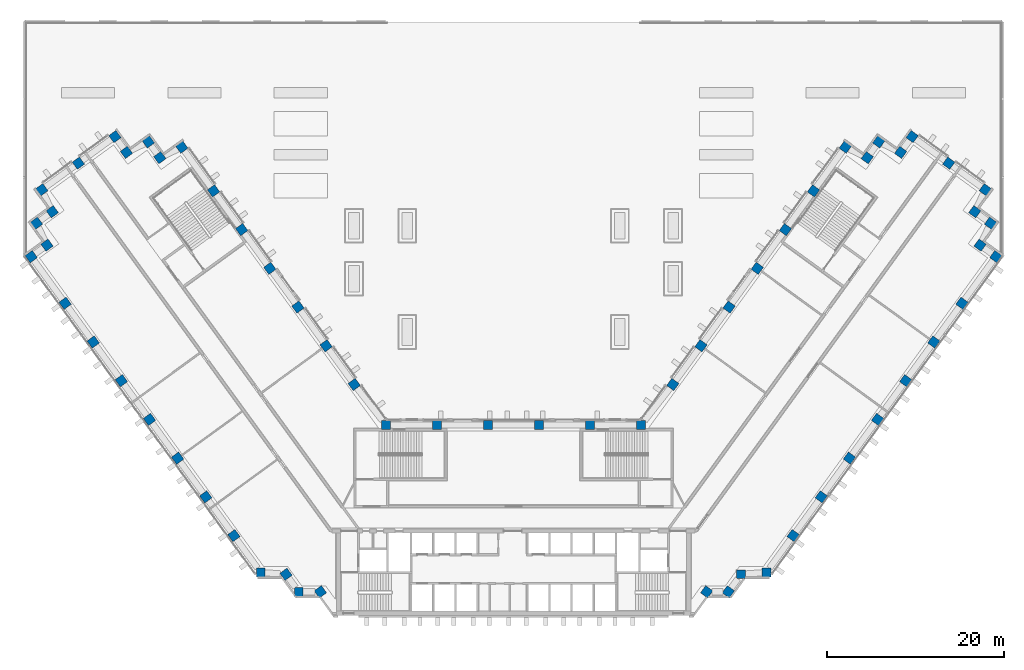
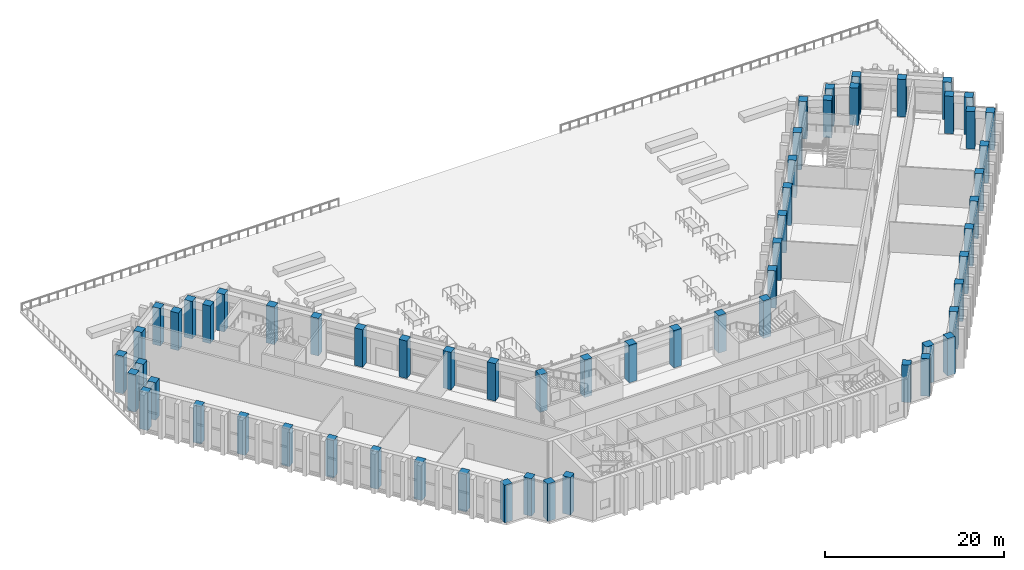
# One storey, part 1 of 25: 62 columns.
"""IFC4 building model written with IfcOpenShell, lengths in metres."""

from ifc_helpers import new_model, si_unit, direction, frame, origin, origin_2d, place, context, subcontext, project, spatial, rectangle, extrude, material, material_profile, profile_set, type_object, element, save


model = new_model("IFC4")

# Units and contexts
model_context = context("Model", 3, precision=1e-05, world=origin(), true_north=direction((0.0, 1.0)))
body_context = subcontext(model_context, "Body", "Model", "MODEL_VIEW")
ifc_project = project(units=[si_unit("LENGTHUNIT", "METRE"), si_unit("AREAUNIT", "SQUARE_METRE"), si_unit("VOLUMEUNIT", "CUBIC_METRE"), si_unit("PLANEANGLEUNIT", "RADIAN"), si_unit("MASSUNIT", "GRAM", prefix="KILO")], contexts=[model_context])

# Site, building, storey
site_placement = place(None, origin())
site = spatial("IfcSite", under=ifc_project, at=site_placement, CompositionType="ELEMENT")
building_placement = place(site_placement, origin())
building = spatial("IfcBuilding", under=site, at=building_placement, Name="Quipu Civic Tower", CompositionType="ELEMENT")
storey_placement = place(building_placement, frame((0.0, 0.0, 6.0)))
storey = spatial("IfcBuildingStorey", under=building, at=storey_placement, Name="L01", CompositionType="ELEMENT", Elevation=6.0)

# Columns
ifc_material = material(Name="Concrete C80/95", Category="concrete")
ifc_material_profile = material_profile(ifc_material, rectangle(XDim=1.0, YDim=1.0, at=origin_2d()), Name="RC1000x1000")
ifc_profile_set = profile_set([ifc_material_profile], Name="Concrete C80/95")
column_type = type_object("IfcColumnType", Name="Perimeter column RC 1000x1000 C80/95", PredefinedType="COLUMN", material=ifc_profile_set)
for number, where, z_axis, x_axis, name in (
    (1, (-17.9736328125, 15.074951171875, 0.0), (0.0, 0.0, 1.0), (-0.587785252292, 0.809016994375, 0.0), "Column L01 W-IN-01"),
    (2, (-21.1474609375, 19.44384765625, 0.0), (0.0, 0.0, 1.0), (-0.587785252292, 0.809016994375, 0.0), "Column L01 W-IN-02"),
    (3, (-24.3212890625, 23.8125, 0.0), (0.0, 0.0, 1.0), (-0.587785252292, 0.809016994375, 0.0), "Column L01 W-IN-03"),
    (4, (-27.4951171875, 28.181396484375, 0.0), (0.0, 0.0, 1.0), (-0.587785252292, 0.809016994375, 0.0), "Column L01 W-IN-04"),
    (5, (-30.6689453125, 32.55029296875, 0.0), (0.0, 0.0, 1.0), (-0.587785252292, 0.809016994375, 0.0), "Column L01 W-IN-05"),
    (6, (-33.843017578125, 36.919189453125, 0.0), (0.0, 0.0, 1.0), (-0.587785252292, 0.809016994375, 0.0), "Column L01 W-IN-06"),
    (7, (-37.425048828125, 41.85009765625, 0.0), (0.0, 0.0, 1.0), (-0.587785252292, 0.809016994375, 0.0), "Column L01 T-Wi.0-W50"),
    (8, (-39.905517578125, 40.666015625, 0.0), (0.0, 0.0, 1.0), (-0.587785252292, 0.809016994375, 0.0), "Column L01 T-Wi.1-W50"),
    (9, (-41.199951171875, 42.445068359375, 0.0), (0.0, 0.0, 1.0), (-0.587785252292, 0.809016994375, 0.0), "Column L01 T-Wi.2-W50"),
    (10, (-43.674560546875, 41.264892578125, 0.0), (0.0, 0.0, 1.0), (-0.809016994375, -0.587785252292, 0.0), "Column L01 T-Wi.3-W50"),
    (11, (-44.969970703125, 43.044921875, 0.0), (0.0, 0.0, 1.0), (-0.809016994375, -0.587785252292, 0.0), "Column L01 T-Wi.4-W50"),
    (12, (-49.095703125, 40.046875, 0.0), (0.0, 0.0, 1.0), (-0.809016994375, -0.587785252292, 0.0), "Column L01 TIP-W-01-W50"),
    (13, (-53.219970703125, 37.050048828125, 0.0), (0.0, 0.0, 1.0), (0.587785252292, -0.809016994375, 0.0), "Column L01 T-Wo.0-W50"),
    (14, (-52.038818359375, 34.571044921875, 0.0), (0.0, 0.0, 1.0), (-0.809016994375, -0.587785252292, 0.0), "Column L01 T-Wo.1-W50"),
    (15, (-53.820068359375, 33.27490234375, 0.0), (0.0, 0.0, 1.0), (0.587785252292, -0.809016994375, 0.0), "Column L01 T-Wo.2-W50"),
    (16, (-52.635986328125, 30.799560546875, 0.0), (0.0, 0.0, 1.0), (-0.809016994375, -0.587785252292, 0.0), "Column L01 T-Wo.3-W50"),
    (17, (-54.4150390625, 29.5048828125, 0.0), (0.0, 0.0, 1.0), (0.587785252292, -0.809016994375, 0.0), "Column L01 T-Wo.4-W50"),
    (18, (-50.59228515625, 24.243408203125, 0.0), (0.0, 0.0, 1.0), (0.587785252292, -0.809016994375, 0.0), "Column L01 W-OUT-07"),
    (19, (-47.41845703125, 19.874755859375, 0.0), (0.0, 0.0, 1.0), (0.587785252292, -0.809016994375, 0.0), "Column L01 W-OUT-06"),
    (20, (-44.244384765625, 15.506103515625, 0.0), (0.0, 0.0, 1.0), (0.587785252292, -0.809016994375, 0.0), "Column L01 W-OUT-05"),
    (21, (-41.0703125, 11.137451171875, 0.0), (0.0, 0.0, 1.0), (0.587785252292, -0.809016994375, 0.0), "Column L01 W-OUT-04"),
    (22, (-37.896240234375, 6.768798828125, 0.0), (0.0, 0.0, 1.0), (0.587785252292, -0.809016994375, 0.0), "Column L01 W-OUT-03"),
    (23, (-34.722412109375, 2.39990234375, 0.0), (0.0, 0.0, 1.0), (0.587785252292, -0.809016994375, 0.0), "Column L01 W-OUT-02"),
    (24, (-31.54833984375, -1.96875, 0.0), (0.0, 0.0, 1.0), (0.587785252292, -0.809016994375, 0.0), "Column L01 W-OUT-01"),
    (25, (-28.52490234375, -6.1298828125, 0.0), (0.0, 0.0, 1.0), (1.0, 0.0, 0.0), "Column L01 J-Wo.0"),
    (26, (-25.67431640625, -6.3369140625, 0.0), (0.0, 0.0, 1.0), (0.587785252292, -0.809016994375, 0.0), "Column L01 J-Wo.1"),
    (27, (-24.235107421875, -8.31494140625, 0.0), (0.0, 0.0, 1.0), (1.0, 0.0, 0.0), "Column L01 J-Wo.2"),
    (28, (-21.791748046875, -8.31494140625, 0.0), (0.0, 0.0, 1.0), (0.587785252292, -0.809016994375, 0.0), "Column L01 J-Wo.3"),
    (29, (21.791748046875, -8.31494140625, 0.0), (0.0, 0.0, 1.0), (0.587785252292, 0.809016994375, 0.0), "Column L01 J-Eo.1"),
    (30, (24.235107421875, -8.31494140625, 0.0), (0.0, 0.0, 1.0), (0.587785252292, 0.809016994375, 0.0), "Column L01 J-Eo.2"),
    (31, (25.67431640625, -6.3369140625, 0.0), (0.0, 0.0, 1.0), (1.0, 0.0, 0.0), "Column L01 J-Eo.3"),
    (32, (28.52490234375, -6.1298828125, 0.0), (0.0, 0.0, 1.0), (1.0, 0.0, 0.0), "Column L01 J-Eo.4"),
    (33, (31.54833984375, -1.96875, 0.0), (0.0, 0.0, 1.0), (0.587785252292, 0.809016994375, 0.0), "Column L01 E-OUT-01"),
    (34, (34.722412109375, 2.39990234375, 0.0), (0.0, 0.0, 1.0), (0.587785252292, 0.809016994375, 0.0), "Column L01 E-OUT-02"),
    (35, (37.896240234375, 6.768798828125, 0.0), (0.0, 0.0, 1.0), (0.587785252292, 0.809016994375, 0.0), "Column L01 E-OUT-03"),
    (36, (41.0703125, 11.137451171875, 0.0), (0.0, 0.0, 1.0), (0.587785252292, 0.809016994375, 0.0), "Column L01 E-OUT-04"),
    (37, (44.244384765625, 15.506103515625, 0.0), (0.0, 0.0, 1.0), (0.587785252292, 0.809016994375, 0.0), "Column L01 E-OUT-05"),
    (38, (47.41845703125, 19.874755859375, 0.0), (0.0, 0.0, 1.0), (0.587785252292, 0.809016994375, 0.0), "Column L01 E-OUT-06"),
    (39, (50.59228515625, 24.243408203125, 0.0), (0.0, 0.0, 1.0), (0.587785252292, 0.809016994375, 0.0), "Column L01 E-OUT-07"),
    (40, (54.4150390625, 29.5048828125, 0.0), (0.0, 0.0, 1.0), (0.587785252292, 0.809016994375, 0.0), "Column L01 T-Eo.0-E50"),
    (41, (52.635986328125, 30.799560546875, 0.0), (0.0, 0.0, 1.0), (-0.809016994375, 0.587785252292, 0.0), "Column L01 T-Eo.1-E50"),
    (42, (53.820068359375, 33.27490234375, 0.0), (0.0, 0.0, 1.0), (-0.809016994375, 0.587785252292, 0.0), "Column L01 T-Eo.2-E50"),
    (43, (52.038818359375, 34.571044921875, 0.0), (0.0, 0.0, 1.0), (0.587785252292, 0.809016994375, 0.0), "Column L01 T-Eo.3-E50"),
    (44, (53.219970703125, 37.050048828125, 0.0), (0.0, 0.0, 1.0), (-0.809016994375, 0.587785252292, 0.0), "Column L01 T-Eo.4-E50"),
    (45, (49.095703125, 40.046875, 0.0), (0.0, 0.0, 1.0), (-0.809016994375, 0.587785252292, 0.0), "Column L01 TIP-E-01-E50"),
    (46, (44.969970703125, 43.044921875, 0.0), (0.0, 0.0, 1.0), (-0.809016994375, 0.587785252292, 0.0), "Column L01 T-Ei.0-E50"),
    (47, (43.674560546875, 41.264892578125, 0.0), (0.0, 0.0, 1.0), (-0.809016994375, 0.587785252292, 0.0), "Column L01 T-Ei.1-E50"),
    (48, (41.199951171875, 42.445068359375, 0.0), (0.0, 0.0, 1.0), (-0.587785252292, -0.809016994375, 0.0), "Column L01 T-Ei.2-E50"),
    (49, (39.905517578125, 40.666015625, 0.0), (0.0, 0.0, 1.0), (-0.587785252292, -0.809016994375, 0.0), "Column L01 T-Ei.3-E50"),
    (50, (37.425048828125, 41.85009765625, 0.0), (0.0, 0.0, 1.0), (-0.587785252292, -0.809016994375, 0.0), "Column L01 T-Ei.4-E50"),
    (51, (33.843017578125, 36.919189453125, 0.0), (0.0, 0.0, 1.0), (-0.587785252292, -0.809016994375, 0.0), "Column L01 E-IN-06"),
    (52, (30.6689453125, 32.55029296875, 0.0), (0.0, 0.0, 1.0), (-0.587785252292, -0.809016994375, 0.0), "Column L01 E-IN-05"),
    (53, (27.4951171875, 28.181396484375, 0.0), (0.0, 0.0, 1.0), (-0.587785252292, -0.809016994375, 0.0), "Column L01 E-IN-04"),
    (54, (24.3212890625, 23.8125, 0.0), (0.0, 0.0, 1.0), (-0.587785252292, -0.809016994375, 0.0), "Column L01 E-IN-03"),
    (55, (21.1474609375, 19.44384765625, 0.0), (0.0, 0.0, 1.0), (-0.587785252292, -0.809016994375, 0.0), "Column L01 E-IN-02"),
    (56, (17.9736328125, 15.074951171875, 0.0), (0.0, 0.0, 1.0), (-0.587785252292, -0.809016994375, 0.0), "Column L01 E-IN-01"),
    (57, (14.395263671875, 10.5, 0.0), (0.0, 0.0, 1.0), (-1.0, 0.0, 0.0), "Column L01 J-Ei.0"),
    (58, (8.63720703125, 10.5, 0.0), (0.0, 0.0, 1.0), (-1.0, 0.0, 0.0), "Column L01 FRONT-01"),
    (59, (2.87890625, 10.5, 0.0), (0.0, 0.0, 1.0), (-1.0, 0.0, 0.0), "Column L01 FRONT-02"),
    (60, (-2.87890625, 10.5, 0.0), (0.0, 0.0, 1.0), (-1.0, 0.0, 0.0), "Column L01 FRONT-03"),
    (61, (-8.63720703125, 10.5, 0.0), (0.0, 0.0, 1.0), (-1.0, 0.0, 0.0), "Column L01 FRONT-04"),
    (62, (-14.395263671875, 10.5, 0.0), (0.0, 0.0, 1.0), (-1.0, 0.0, 0.0), "Column L01 J-Wi.0"),
):
    element("IfcColumn", number, at=place(storey_placement, frame(where, z_axis=z_axis, x_axis=x_axis)), inside=storey, type_object=column_type, Name=name, PredefinedType="COLUMN", context=body_context, shape_type="SweptSolid", body=[
        extrude(rectangle(XDim=1.0, YDim=1.0, at=origin_2d()), origin(), (0.0, 0.0, 1.0), 5.10009765625),
    ])

save(model, "model.ifc")
